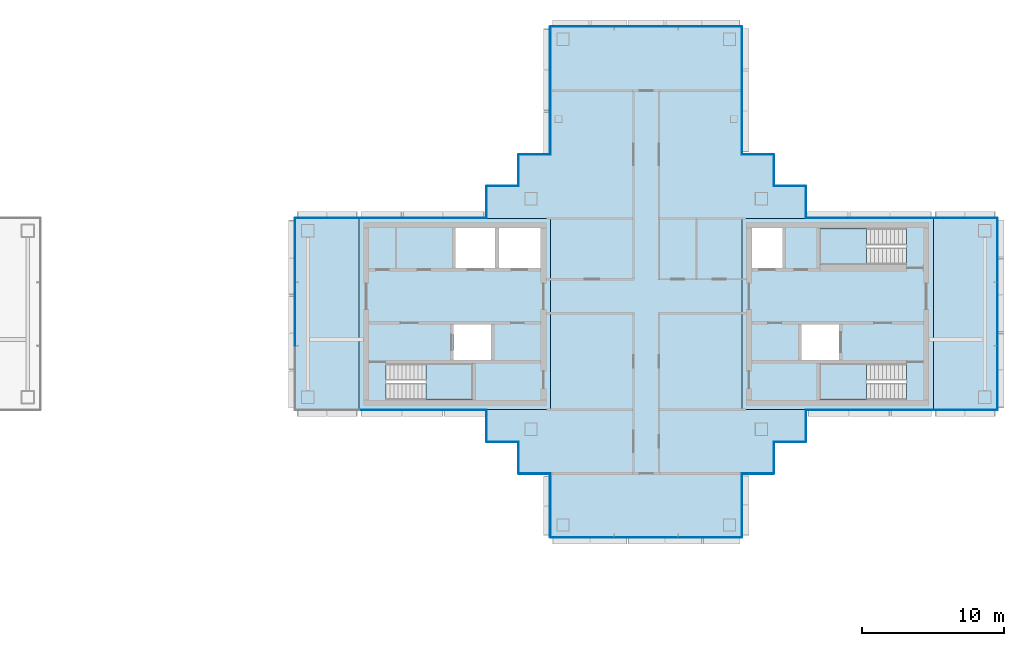
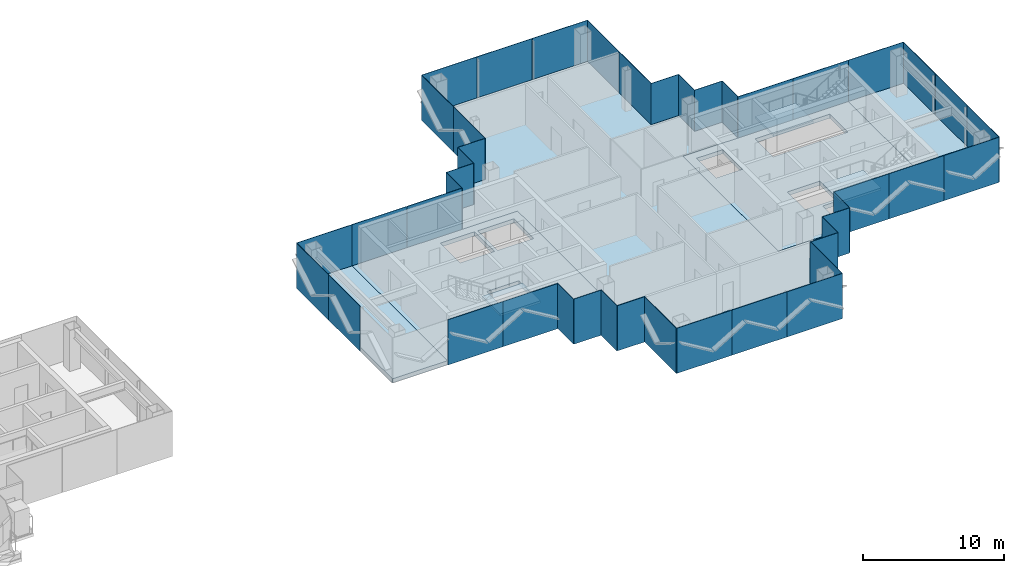
# One storey, part 8 of 17: 44 plates, 8 slabs, 22 elements without a shape of their own.
"""IFC4 building model written with IfcOpenShell, lengths in metres."""

from ifc_helpers import new_model, si_unit, direction, frame, origin, origin_2d, place, context, subcontext, project, spatial, polyline, rectangle, outline, extrude, material, layer, layer_set, type_object, element, aggregate, save


model = new_model("IFC4")

# Units and contexts
model_context = context("Model", 3, precision=1e-05, world=origin(), true_north=direction((0.0, 1.0)))
body_context = subcontext(model_context, "Body", "Model", "MODEL_VIEW")
ifc_project = project(units=[si_unit("LENGTHUNIT", "METRE"), si_unit("AREAUNIT", "SQUARE_METRE"), si_unit("VOLUMEUNIT", "CUBIC_METRE"), si_unit("PLANEANGLEUNIT", "RADIAN"), si_unit("MASSUNIT", "GRAM", prefix="KILO")], contexts=[model_context])

# Site, building, storey
site_placement = place(None, origin())
site = spatial("IfcSite", under=ifc_project, at=site_placement, CompositionType="ELEMENT")
building_placement = place(site_placement, origin())
building = spatial("IfcBuilding", under=site, at=building_placement, Name="Shamsa Quay Exchange Towers", CompositionType="ELEMENT")
storey_placement = place(building_placement, frame((0.0, 0.0, 253.800048828125)))
storey = spatial("IfcBuildingStorey", under=building, at=storey_placement, Name="L61", CompositionType="ELEMENT", Elevation=253.800048828125)

# Slabs
ifc_material_1 = material(Name="Concrete C50/60", Category="concrete")
ifc_layer_1 = layer(ifc_material_1, 0.35009765625)
ifc_layer_set_1 = layer_set([ifc_layer_1], Name="CORE FLOOR 350 C50/60")
slab_type_1 = type_object("IfcSlabType", Name="CORE FLOOR 350 C50/60", PredefinedType="FLOOR", material=ifc_layer_set_1)
slab_1_placement = place(storey_placement, frame((0.0, 0.0, -0.35009765625)))
element("IfcSlab", 1, at=slab_1_placement, inside=storey, type_object=slab_type_1, Name="Core floor T2A", PredefinedType="FLOOR", context=body_context, shape_type="SweptSolid", body=[
    extrude(outline(polyline([(13.5, -6.75), (27.0, -6.75), (27.0, 6.75), (13.5, 6.75), (13.5, -6.75)]), holes=[polyline([(15.400634765625, -6.050048828125), (15.400634765625, -3.5), (21.5, -3.5), (21.5, -6.050048828125), (15.400634765625, -6.050048828125)]), polyline([(20.300048828125, 3.25), (20.300048828125, 6.050048828125), (23.10009765625, 6.050048828125), (23.10009765625, 3.25), (20.300048828125, 3.25)]), polyline([(23.35009765625, 3.25), (23.35009765625, 6.050048828125), (26.300048828125, 6.050048828125), (26.300048828125, 3.25), (23.35009765625, 3.25)]), polyline([(20.14990234375, -3.25), (20.14990234375, -0.75), (22.800048828125, -0.75), (22.800048828125, -3.25), (20.14990234375, -3.25)])]), origin(), (0.0, 0.0, 1.0), 0.35009765625),
])
slab_2_placement = place(storey_placement, frame((0.0, 0.0, -0.35009765625)))
element("IfcSlab", 2, at=slab_2_placement, inside=storey, type_object=slab_type_1, Name="Core floor T2B", PredefinedType="FLOOR", context=body_context, shape_type="SweptSolid", body=[
    extrude(outline(polyline([(54.0, -6.75), (54.0, 6.75), (40.5, 6.75), (40.5, -6.75), (54.0, -6.75)]), holes=[polyline([(52.099365234375, -3.5), (52.099365234375, -6.050048828125), (46.0, -6.050048828125), (46.0, -3.5), (52.099365234375, -3.5)]), polyline([(52.099365234375, 6.050048828125), (52.099365234375, 3.5), (46.0, 3.5), (46.0, 6.050048828125), (52.099365234375, 6.050048828125)]), polyline([(43.35009765625, 3.25), (41.199951171875, 3.25), (41.199951171875, 6.050048828125), (43.35009765625, 6.050048828125), (43.35009765625, 3.25)]), polyline([(47.35009765625, -3.25), (44.699951171875, -3.25), (44.699951171875, -0.75), (47.35009765625, -0.75), (47.35009765625, -3.25)])]), origin(), (0.0, 0.0, 1.0), 0.35009765625),
])

# Stair, slab
ifc_material_2 = material(Name="Concrete C40/50", Category="concrete")
stair_type = type_object("IfcStairType", Name="EXIT STAIR 22 RISERS 177 MM", PredefinedType="HALF_TURN_STAIR", material=ifc_material_2)
stair_1_placement = place(storey_placement, origin())
stair_1 = element("IfcStair", 3, at=stair_1_placement, inside=storey, type_object=stair_type, Name="L61 Exit stair ST4", PredefinedType="HALF_TURN_STAIR")
ifc_layer_2 = layer(ifc_material_2, 0.199951171875)
ifc_layer_set_2 = layer_set([ifc_layer_2], Name="CORE STAIR LANDING")
slab_type_2 = type_object("IfcSlabType", Name="CORE STAIR LANDING", PredefinedType="LANDING", material=ifc_layer_set_2)
slab_3_placement = place(storey_placement, frame((0.0, 0.0, 1.75)))
slab_3 = element("IfcSlab", 4, at=slab_3_placement, type_object=slab_type_2, Name="ST4 landing 1", PredefinedType="LANDING", context=body_context, shape_type="SweptSolid", body=[
    extrude(outline(polyline([(18.199951171875, -6.050048828125), (21.5, -6.050048828125), (21.5, -3.5), (18.199951171875, -3.5), (18.199951171875, -6.050048828125)])), origin(), (0.0, 0.0, 1.0), 0.199951171875),
])
aggregate(stair_1, [slab_3])

stair_2_placement = place(storey_placement, origin())
stair_2 = element("IfcStair", 5, at=stair_2_placement, inside=storey, type_object=stair_type, Name="L61 Exit stair ST5", PredefinedType="HALF_TURN_STAIR")
slab_4_placement = place(storey_placement, frame((0.0, 0.0, 1.75)))
slab_4 = element("IfcSlab", 6, at=slab_4_placement, type_object=slab_type_2, Name="ST5 landing 1", PredefinedType="LANDING", context=body_context, shape_type="SweptSolid", body=[
    extrude(outline(polyline([(49.300048828125, -3.5), (46.0, -3.5), (46.0, -6.050048828125), (49.300048828125, -6.050048828125), (49.300048828125, -3.5)])), origin(), (0.0, 0.0, 1.0), 0.199951171875),
])
aggregate(stair_2, [slab_4])

stair_3_placement = place(storey_placement, origin())
stair_3 = element("IfcStair", 7, at=stair_3_placement, inside=storey, type_object=stair_type, Name="L61 Exit stair ST6", PredefinedType="HALF_TURN_STAIR")
slab_5_placement = place(storey_placement, frame((0.0, 0.0, 1.75)))
slab_5 = element("IfcSlab", 8, at=slab_5_placement, type_object=slab_type_2, Name="ST6 landing 1", PredefinedType="LANDING", context=body_context, shape_type="SweptSolid", body=[
    extrude(outline(polyline([(49.300048828125, 6.050048828125), (46.0, 6.050048828125), (46.0, 3.5), (49.300048828125, 3.5), (49.300048828125, 6.050048828125)])), origin(), (0.0, 0.0, 1.0), 0.199951171875),
])
aggregate(stair_3, [slab_5])

# Curtain wall, plate
ifc_material_3 = material(Name="Aluminium EN AW-6063 T6, black anodised", Category="aluminium")
ifc_layer_3 = layer(ifc_material_3, 0.280029296875)
ifc_layer_set_3 = layer_set([ifc_layer_3], Name="CW-1 UNITISED VISION GLASS")
curtain_wall_type_1 = type_object("IfcCurtainWallType", Name="CW-1 UNITISED VISION GLASS", PredefinedType="NOTDEFINED", material=ifc_layer_set_3)
curtain_wall_1_placement = place(storey_placement, origin())
curtain_wall_1 = element("IfcCurtainWall", 9, at=curtain_wall_1_placement, inside=storey, type_object=curtain_wall_type_1, Name="CW1 T2-FLK-V-W L61", PredefinedType="NOTDEFINED")
ifc_material_4 = material(Name="Glass, laminated, dark tinted", Category="glass")
ifc_layer_4 = layer(ifc_material_4, 0.0400390625)
ifc_layer_set_4 = layer_set([ifc_layer_4], Name="CW-1 VISION GLASS 40")
plate_type_1 = type_object("IfcPlateType", Name="CW-1 VISION GLASS 40", PredefinedType="CURTAIN_PANEL", material=ifc_layer_set_4)
plate_1_placement = place(storey_placement, frame((56.25, -6.77001953125, -0.35009765625)))
plate_1 = element("IfcPlate", 10, at=plate_1_placement, type_object=plate_type_1, Name="CW1 glass panel", PredefinedType="CURTAIN_PANEL", context=body_context, shape_type="SweptSolid", body=[
    extrude(rectangle(XDim=4.5, YDim=0.0400390625, at=origin_2d()), origin(), (0.0, 0.0, 1.0), 3.89990234375),
])
aggregate(curtain_wall_1, [plate_1])

# Curtain wall, plates
curtain_wall_2_placement = place(storey_placement, origin())
curtain_wall_2 = element("IfcCurtainWall", 11, at=curtain_wall_2_placement, inside=storey, type_object=curtain_wall_type_1, Name="CW1 T2-END-V- L61", PredefinedType="NOTDEFINED")
plate_2_placement = place(storey_placement, frame((58.52001953125, -4.50244140625, -0.35009765625), z_axis=(0.0, 0.0, 1.0), x_axis=(0.0, 1.0, 0.0)))
plate_2 = element("IfcPlate", 12, at=plate_2_placement, type_object=plate_type_1, Name="CW1 glass panel", PredefinedType="CURTAIN_PANEL", context=body_context, shape_type="SweptSolid", body=[
    extrude(rectangle(XDim=4.4951171875, YDim=0.0400390625, at=origin_2d()), origin(), (0.0, 0.0, 1.0), 3.89990234375),
])
plate_3_placement = place(storey_placement, frame((58.52001953125, 0.0, -0.35009765625), z_axis=(0.0, 0.0, 1.0), x_axis=(0.0, 1.0, 0.0)))
plate_3 = element("IfcPlate", 13, at=plate_3_placement, type_object=plate_type_1, Name="CW1 glass panel", PredefinedType="CURTAIN_PANEL", context=body_context, shape_type="SweptSolid", body=[
    extrude(rectangle(XDim=4.489990234375, YDim=0.0400390625, at=origin_2d()), origin(), (0.0, 0.0, 1.0), 3.89990234375),
])
plate_4_placement = place(storey_placement, frame((58.52001953125, 4.50244140625, -0.35009765625), z_axis=(0.0, 0.0, 1.0), x_axis=(0.0, 1.0, 0.0)))
plate_4 = element("IfcPlate", 14, at=plate_4_placement, type_object=plate_type_1, Name="CW1 glass panel", PredefinedType="CURTAIN_PANEL", context=body_context, shape_type="SweptSolid", body=[
    extrude(rectangle(XDim=4.4951171875, YDim=0.0400390625, at=origin_2d()), origin(), (0.0, 0.0, 1.0), 3.89990234375),
])
aggregate(curtain_wall_2, [plate_2, plate_3, plate_4])

# Curtain wall, plate
curtain_wall_3_placement = place(storey_placement, origin())
curtain_wall_3 = element("IfcCurtainWall", 15, at=curtain_wall_3_placement, inside=storey, type_object=curtain_wall_type_1, Name="CW1 T2-FLK-V-E L61", PredefinedType="NOTDEFINED")
plate_5_placement = place(storey_placement, frame((56.25, 6.77001953125, -0.35009765625), z_axis=(0.0, 0.0, 1.0), x_axis=(-1.0, 0.0, 0.0)))
plate_5 = element("IfcPlate", 16, at=plate_5_placement, type_object=plate_type_1, Name="CW1 glass panel", PredefinedType="CURTAIN_PANEL", context=body_context, shape_type="SweptSolid", body=[
    extrude(rectangle(XDim=4.5, YDim=0.0400390625, at=origin_2d()), origin(), (0.0, 0.0, 1.0), 3.89990234375),
])
aggregate(curtain_wall_3, [plate_5])

# Curtain wall, plates
curtain_wall_4_placement = place(storey_placement, origin())
curtain_wall_4 = element("IfcCurtainWall", 17, at=curtain_wall_4_placement, inside=storey, type_object=curtain_wall_type_1, Name="CW1 T2-FLK-U+S L61", PredefinedType="NOTDEFINED")
plate_6_placement = place(storey_placement, frame((40.52001953125, 13.52587890625, -0.35009765625), z_axis=(0.0, 0.0, 1.0), x_axis=(0.0, 1.0, 0.0)))
plate_6 = element("IfcPlate", 18, at=plate_6_placement, type_object=plate_type_1, Name="CW1 glass panel", PredefinedType="CURTAIN_PANEL", context=body_context, shape_type="SweptSolid", body=[
    extrude(rectangle(XDim=4.47607421875, YDim=0.0400390625, at=origin_2d()), origin(), (0.0, 0.0, 1.0), 3.89990234375),
])
plate_7_placement = place(storey_placement, frame((40.52001953125, 18.011962890625, -0.35009765625), z_axis=(0.0, 0.0, 1.0), x_axis=(0.0, 1.0, 0.0)))
plate_7 = element("IfcPlate", 19, at=plate_7_placement, type_object=plate_type_1, Name="CW1 glass panel", PredefinedType="CURTAIN_PANEL", context=body_context, shape_type="SweptSolid", body=[
    extrude(rectangle(XDim=4.47607421875, YDim=0.0400390625, at=origin_2d()), origin(), (0.0, 0.0, 1.0), 3.89990234375),
])
aggregate(curtain_wall_4, [plate_6, plate_7])

curtain_wall_5_placement = place(storey_placement, origin())
curtain_wall_5 = element("IfcCurtainWall", 20, at=curtain_wall_5_placement, inside=storey, type_object=curtain_wall_type_1, Name="CW1 T2-END-U+ L61", PredefinedType="NOTDEFINED")
plate_8_placement = place(storey_placement, frame((38.25244140625, 20.27001953125, -0.35009765625), z_axis=(0.0, 0.0, 1.0), x_axis=(-1.0, 0.0, 0.0)))
plate_8 = element("IfcPlate", 21, at=plate_8_placement, type_object=plate_type_1, Name="CW1 glass panel", PredefinedType="CURTAIN_PANEL", context=body_context, shape_type="SweptSolid", body=[
    extrude(rectangle(XDim=4.4951171875, YDim=0.0400390625, at=origin_2d()), origin(), (0.0, 0.0, 1.0), 3.89990234375),
])
plate_9_placement = place(storey_placement, frame((33.75, 20.27001953125, -0.35009765625), z_axis=(0.0, 0.0, 1.0), x_axis=(-1.0, 0.0, 0.0)))
plate_9 = element("IfcPlate", 22, at=plate_9_placement, type_object=plate_type_1, Name="CW1 glass panel", PredefinedType="CURTAIN_PANEL", context=body_context, shape_type="SweptSolid", body=[
    extrude(rectangle(XDim=4.489990234375, YDim=0.0400390625, at=origin_2d()), origin(), (0.0, 0.0, 1.0), 3.89990234375),
])
plate_10_placement = place(storey_placement, frame((29.24755859375, 20.27001953125, -0.35009765625), z_axis=(0.0, 0.0, 1.0), x_axis=(-1.0, 0.0, 0.0)))
plate_10 = element("IfcPlate", 23, at=plate_10_placement, type_object=plate_type_1, Name="CW1 glass panel", PredefinedType="CURTAIN_PANEL", context=body_context, shape_type="SweptSolid", body=[
    extrude(rectangle(XDim=4.4951171875, YDim=0.0400390625, at=origin_2d()), origin(), (0.0, 0.0, 1.0), 3.89990234375),
])
aggregate(curtain_wall_5, [plate_8, plate_9, plate_10])

curtain_wall_6_placement = place(storey_placement, origin())
curtain_wall_6 = element("IfcCurtainWall", 24, at=curtain_wall_6_placement, inside=storey, type_object=curtain_wall_type_1, Name="CW1 T2-FLK-U+N L61", PredefinedType="NOTDEFINED")
plate_11_placement = place(storey_placement, frame((26.97998046875, 18.00244140625, -0.35009765625), z_axis=(0.0, 0.0, 1.0), x_axis=(0.0, -1.0, 0.0)))
plate_11 = element("IfcPlate", 25, at=plate_11_placement, type_object=plate_type_1, Name="CW1 glass panel", PredefinedType="CURTAIN_PANEL", context=body_context, shape_type="SweptSolid", body=[
    extrude(rectangle(XDim=4.4951171875, YDim=0.0400390625, at=origin_2d()), origin(), (0.0, 0.0, 1.0), 3.89990234375),
])
plate_12_placement = place(storey_placement, frame((26.97998046875, 13.49755859375, -0.35009765625), z_axis=(0.0, 0.0, 1.0), x_axis=(0.0, -1.0, 0.0)))
plate_12 = element("IfcPlate", 26, at=plate_12_placement, type_object=plate_type_1, Name="CW1 glass panel", PredefinedType="CURTAIN_PANEL", context=body_context, shape_type="SweptSolid", body=[
    extrude(rectangle(XDim=4.4951171875, YDim=0.0400390625, at=origin_2d()), origin(), (0.0, 0.0, 1.0), 3.89990234375),
])
aggregate(curtain_wall_6, [plate_11, plate_12])

# Curtain wall, plate
curtain_wall_7_placement = place(storey_placement, origin())
curtain_wall_7 = element("IfcCurtainWall", 27, at=curtain_wall_7_placement, inside=storey, type_object=curtain_wall_type_1, Name="CW1 T2-FLK-V+E L61", PredefinedType="NOTDEFINED")
plate_13_placement = place(storey_placement, frame((11.25, 6.77001953125, -0.35009765625), z_axis=(0.0, 0.0, 1.0), x_axis=(-1.0, 0.0, 0.0)))
plate_13 = element("IfcPlate", 28, at=plate_13_placement, type_object=plate_type_1, Name="CW1 glass panel", PredefinedType="CURTAIN_PANEL", context=body_context, shape_type="SweptSolid", body=[
    extrude(rectangle(XDim=4.5, YDim=0.0400390625, at=origin_2d()), origin(), (0.0, 0.0, 1.0), 3.89990234375),
])
aggregate(curtain_wall_7, [plate_13])

# Curtain wall, plates
curtain_wall_8_placement = place(storey_placement, origin())
curtain_wall_8 = element("IfcCurtainWall", 29, at=curtain_wall_8_placement, inside=storey, type_object=curtain_wall_type_1, Name="CW1 T2-END-V+ L61", PredefinedType="NOTDEFINED")
plate_14_placement = place(storey_placement, frame((8.97998046875, 4.50244140625, -0.35009765625), z_axis=(0.0, 0.0, 1.0), x_axis=(0.0, -1.0, 0.0)))
plate_14 = element("IfcPlate", 30, at=plate_14_placement, type_object=plate_type_1, Name="CW1 glass panel", PredefinedType="CURTAIN_PANEL", context=body_context, shape_type="SweptSolid", body=[
    extrude(rectangle(XDim=4.4951171875, YDim=0.0400390625, at=origin_2d()), origin(), (0.0, 0.0, 1.0), 3.89990234375),
])
plate_15_placement = place(storey_placement, frame((8.97998046875, 0.0, -0.35009765625), z_axis=(0.0, 0.0, 1.0), x_axis=(0.0, -1.0, 0.0)))
plate_15 = element("IfcPlate", 31, at=plate_15_placement, type_object=plate_type_1, Name="CW1 glass panel", PredefinedType="CURTAIN_PANEL", context=body_context, shape_type="SweptSolid", body=[
    extrude(rectangle(XDim=4.489990234375, YDim=0.0400390625, at=origin_2d()), origin(), (0.0, 0.0, 1.0), 3.89990234375),
])
aggregate(curtain_wall_8, [plate_14, plate_15])

# Curtain wall, plate
curtain_wall_9_placement = place(storey_placement, origin())
curtain_wall_9 = element("IfcCurtainWall", 32, at=curtain_wall_9_placement, inside=storey, type_object=curtain_wall_type_1, Name="CW1 T2-FLK-U-N L61", PredefinedType="NOTDEFINED")
plate_16_placement = place(storey_placement, frame((26.97998046875, -13.51904296875, -0.35009765625), z_axis=(0.0, 0.0, 1.0), x_axis=(0.0, -1.0, 0.0)))
plate_16 = element("IfcPlate", 33, at=plate_16_placement, type_object=plate_type_1, Name="CW1 glass panel", PredefinedType="CURTAIN_PANEL", context=body_context, shape_type="SweptSolid", body=[
    extrude(rectangle(XDim=4.4619140625, YDim=0.0400390625, at=origin_2d()), origin(), (0.0, 0.0, 1.0), 3.89990234375),
])
aggregate(curtain_wall_9, [plate_16])

# Curtain wall, plates
curtain_wall_10_placement = place(storey_placement, origin())
curtain_wall_10 = element("IfcCurtainWall", 34, at=curtain_wall_10_placement, inside=storey, type_object=curtain_wall_type_1, Name="CW1 T2-END-U- L61", PredefinedType="NOTDEFINED")
plate_17_placement = place(storey_placement, frame((29.24755859375, -15.77001953125, -0.35009765625)))
plate_17 = element("IfcPlate", 35, at=plate_17_placement, type_object=plate_type_1, Name="CW1 glass panel", PredefinedType="CURTAIN_PANEL", context=body_context, shape_type="SweptSolid", body=[
    extrude(rectangle(XDim=4.4951171875, YDim=0.0400390625, at=origin_2d()), origin(), (0.0, 0.0, 1.0), 3.89990234375),
])
plate_18_placement = place(storey_placement, frame((33.75, -15.77001953125, -0.35009765625)))
plate_18 = element("IfcPlate", 36, at=plate_18_placement, type_object=plate_type_1, Name="CW1 glass panel", PredefinedType="CURTAIN_PANEL", context=body_context, shape_type="SweptSolid", body=[
    extrude(rectangle(XDim=4.489990234375, YDim=0.0400390625, at=origin_2d()), origin(), (0.0, 0.0, 1.0), 3.89990234375),
])
plate_19_placement = place(storey_placement, frame((38.25244140625, -15.77001953125, -0.35009765625)))
plate_19 = element("IfcPlate", 37, at=plate_19_placement, type_object=plate_type_1, Name="CW1 glass panel", PredefinedType="CURTAIN_PANEL", context=body_context, shape_type="SweptSolid", body=[
    extrude(rectangle(XDim=4.4951171875, YDim=0.0400390625, at=origin_2d()), origin(), (0.0, 0.0, 1.0), 3.89990234375),
])
aggregate(curtain_wall_10, [plate_17, plate_18, plate_19])

# Curtain wall, plate
curtain_wall_11_placement = place(storey_placement, origin())
curtain_wall_11 = element("IfcCurtainWall", 38, at=curtain_wall_11_placement, inside=storey, type_object=curtain_wall_type_1, Name="CW1 T2-FLK-U-S L61", PredefinedType="NOTDEFINED")
plate_20_placement = place(storey_placement, frame((40.52001953125, -13.5, -0.35009765625), z_axis=(0.0, 0.0, 1.0), x_axis=(0.0, 1.0, 0.0)))
plate_20 = element("IfcPlate", 39, at=plate_20_placement, type_object=plate_type_1, Name="CW1 glass panel", PredefinedType="CURTAIN_PANEL", context=body_context, shape_type="SweptSolid", body=[
    extrude(rectangle(XDim=4.5, YDim=0.0400390625, at=origin_2d()), origin(), (0.0, 0.0, 1.0), 3.89990234375),
])
aggregate(curtain_wall_11, [plate_20])

# Curtain wall, plates
ifc_layer_5 = layer(ifc_material_3, 0.303955078125)
ifc_layer_set_5 = layer_set([ifc_layer_5], Name="CW-2 UNITISED OPAQUE SPANDREL GLASS")
curtain_wall_type_2 = type_object("IfcCurtainWallType", Name="CW-2 UNITISED OPAQUE SPANDREL GLASS", PredefinedType="NOTDEFINED", material=ifc_layer_set_5)
curtain_wall_12_placement = place(storey_placement, origin())
curtain_wall_12 = element("IfcCurtainWall", 40, at=curtain_wall_12_placement, inside=storey, type_object=curtain_wall_type_2, Name="CW2 T2-FLK-V-W L61", PredefinedType="NOTDEFINED")
ifc_material_5 = material(Name="Glass, laminated, black enamelled opaque", Category="glass")
ifc_layer_6 = layer(ifc_material_5, 0.0439453125)
ifc_layer_set_6 = layer_set([ifc_layer_6], Name="CW-2 SPANDREL GLASS 44")
plate_type_2 = type_object("IfcPlateType", Name="CW-2 SPANDREL GLASS 44", PredefinedType="CURTAIN_PANEL", material=ifc_layer_set_6)
plate_21_placement = place(storey_placement, frame((47.27587890625, -6.77197265625, -0.35009765625)))
plate_21 = element("IfcPlate", 41, at=plate_21_placement, type_object=plate_type_2, Name="CW2 glass panel", PredefinedType="CURTAIN_PANEL", context=body_context, shape_type="SweptSolid", body=[
    extrude(rectangle(XDim=4.47607421875, YDim=0.0439453125, at=origin_2d()), origin(), (0.0, 0.0, 1.0), 3.89990234375),
])
plate_22_placement = place(storey_placement, frame((51.761962890625, -6.77197265625, -0.35009765625)))
plate_22 = element("IfcPlate", 42, at=plate_22_placement, type_object=plate_type_2, Name="CW2 glass panel", PredefinedType="CURTAIN_PANEL", context=body_context, shape_type="SweptSolid", body=[
    extrude(rectangle(XDim=4.47607421875, YDim=0.0439453125, at=origin_2d()), origin(), (0.0, 0.0, 1.0), 3.89990234375),
])
aggregate(curtain_wall_12, [plate_21, plate_22])

curtain_wall_13_placement = place(storey_placement, origin())
curtain_wall_13 = element("IfcCurtainWall", 43, at=curtain_wall_13_placement, inside=storey, type_object=curtain_wall_type_2, Name="CW2 T2-FLK-V-E L61", PredefinedType="NOTDEFINED")
plate_23_placement = place(storey_placement, frame((51.75244140625, 6.77197265625, -0.35009765625), z_axis=(0.0, 0.0, 1.0), x_axis=(-1.0, 0.0, 0.0)))
plate_23 = element("IfcPlate", 44, at=plate_23_placement, type_object=plate_type_2, Name="CW2 glass panel", PredefinedType="CURTAIN_PANEL", context=body_context, shape_type="SweptSolid", body=[
    extrude(rectangle(XDim=4.4951171875, YDim=0.0439453125, at=origin_2d()), origin(), (0.0, 0.0, 1.0), 3.89990234375),
])
plate_24_placement = place(storey_placement, frame((47.24755859375, 6.77197265625, -0.35009765625), z_axis=(0.0, 0.0, 1.0), x_axis=(-1.0, 0.0, 0.0)))
plate_24 = element("IfcPlate", 45, at=plate_24_placement, type_object=plate_type_2, Name="CW2 glass panel", PredefinedType="CURTAIN_PANEL", context=body_context, shape_type="SweptSolid", body=[
    extrude(rectangle(XDim=4.4951171875, YDim=0.0439453125, at=origin_2d()), origin(), (0.0, 0.0, 1.0), 3.89990234375),
])
aggregate(curtain_wall_13, [plate_23, plate_24])

curtain_wall_14_placement = place(storey_placement, origin())
curtain_wall_14 = element("IfcCurtainWall", 46, at=curtain_wall_14_placement, inside=storey, type_object=curtain_wall_type_2, Name="CW2 T2-FLK-V+E L61", PredefinedType="NOTDEFINED")
plate_25_placement = place(storey_placement, frame((20.22412109375, 6.77197265625, -0.35009765625), z_axis=(0.0, 0.0, 1.0), x_axis=(-1.0, 0.0, 0.0)))
plate_25 = element("IfcPlate", 47, at=plate_25_placement, type_object=plate_type_2, Name="CW2 glass panel", PredefinedType="CURTAIN_PANEL", context=body_context, shape_type="SweptSolid", body=[
    extrude(rectangle(XDim=4.47607421875, YDim=0.0439453125, at=origin_2d()), origin(), (0.0, 0.0, 1.0), 3.89990234375),
])
plate_26_placement = place(storey_placement, frame((15.738037109375, 6.77197265625, -0.35009765625), z_axis=(0.0, 0.0, 1.0), x_axis=(-1.0, 0.0, 0.0)))
plate_26 = element("IfcPlate", 48, at=plate_26_placement, type_object=plate_type_2, Name="CW2 glass panel", PredefinedType="CURTAIN_PANEL", context=body_context, shape_type="SweptSolid", body=[
    extrude(rectangle(XDim=4.47607421875, YDim=0.0439453125, at=origin_2d()), origin(), (0.0, 0.0, 1.0), 3.89990234375),
])
aggregate(curtain_wall_14, [plate_25, plate_26])

curtain_wall_15_placement = place(storey_placement, origin())
curtain_wall_15 = element("IfcCurtainWall", 49, at=curtain_wall_15_placement, inside=storey, type_object=curtain_wall_type_2, Name="CW2 T2-FLK-V+W L61", PredefinedType="NOTDEFINED")
plate_27_placement = place(storey_placement, frame((15.74755859375, -6.77197265625, -0.35009765625)))
plate_27 = element("IfcPlate", 50, at=plate_27_placement, type_object=plate_type_2, Name="CW2 glass panel", PredefinedType="CURTAIN_PANEL", context=body_context, shape_type="SweptSolid", body=[
    extrude(rectangle(XDim=4.4951171875, YDim=0.0439453125, at=origin_2d()), origin(), (0.0, 0.0, 1.0), 3.89990234375),
])
plate_28_placement = place(storey_placement, frame((20.25244140625, -6.77197265625, -0.35009765625)))
plate_28 = element("IfcPlate", 51, at=plate_28_placement, type_object=plate_type_2, Name="CW2 glass panel", PredefinedType="CURTAIN_PANEL", context=body_context, shape_type="SweptSolid", body=[
    extrude(rectangle(XDim=4.4951171875, YDim=0.0439453125, at=origin_2d()), origin(), (0.0, 0.0, 1.0), 3.89990234375),
])
aggregate(curtain_wall_15, [plate_27, plate_28])

ifc_layer_7 = layer(ifc_material_3, 0.256103515625)
ifc_layer_set_7 = layer_set([ifc_layer_7], Name="CW-4 POCKET SERRATED GLAZING")
curtain_wall_type_3 = type_object("IfcCurtainWallType", Name="CW-4 POCKET SERRATED GLAZING", PredefinedType="NOTDEFINED", material=ifc_layer_set_7)
curtain_wall_16_placement = place(storey_placement, origin())
curtain_wall_16 = element("IfcCurtainWall", 52, at=curtain_wall_16_placement, inside=storey, type_object=curtain_wall_type_3, Name="CW4 PKWS L61", PredefinedType="NOTDEFINED")
ifc_layer_8 = layer(ifc_material_4, 0.035888671875)
ifc_layer_set_8 = layer_set([ifc_layer_8], Name="CW-4 POCKET GLASS 36")
plate_type_3 = type_object("IfcPlateType", Name="CW-4 POCKET GLASS 36", PredefinedType="CURTAIN_PANEL", material=ifc_layer_set_8)
plate_29_placement = place(storey_placement, frame((43.89404296875, -9.01806640625, -0.35009765625)))
plate_29 = element("IfcPlate", 53, at=plate_29_placement, type_object=plate_type_3, Name="CW4 glass panel", PredefinedType="CURTAIN_PANEL", context=body_context, shape_type="SweptSolid", body=[
    extrude(rectangle(XDim=2.2119140625, YDim=0.035888671875, at=origin_2d()), origin(), (0.0, 0.0, 1.0), 3.89990234375),
])
plate_30_placement = place(storey_placement, frame((45.01806640625, -7.875, -0.35009765625), z_axis=(0.0, 0.0, 1.0), x_axis=(0.0, 1.0, 0.0)))
plate_30 = element("IfcPlate", 54, at=plate_30_placement, type_object=plate_type_3, Name="CW4 glass panel", PredefinedType="CURTAIN_PANEL", context=body_context, shape_type="SweptSolid", body=[
    extrude(rectangle(XDim=2.25, YDim=0.035888671875, at=origin_2d()), origin(), (0.0, 0.0, 1.0), 3.89990234375),
])
plate_31_placement = place(storey_placement, frame((41.64599609375, -11.26806640625, -0.35009765625)))
plate_31 = element("IfcPlate", 55, at=plate_31_placement, type_object=plate_type_3, Name="CW4 glass panel", PredefinedType="CURTAIN_PANEL", context=body_context, shape_type="SweptSolid", body=[
    extrude(rectangle(XDim=2.2080078125, YDim=0.035888671875, at=origin_2d()), origin(), (0.0, 0.0, 1.0), 3.89990234375),
])
plate_32_placement = place(storey_placement, frame((42.76806640625, -10.125, -0.35009765625), z_axis=(0.0, 0.0, 1.0), x_axis=(0.0, 1.0, 0.0)))
plate_32 = element("IfcPlate", 56, at=plate_32_placement, type_object=plate_type_3, Name="CW4 glass panel", PredefinedType="CURTAIN_PANEL", context=body_context, shape_type="SweptSolid", body=[
    extrude(rectangle(XDim=2.25, YDim=0.035888671875, at=origin_2d()), origin(), (0.0, 0.0, 1.0), 3.89990234375),
])
aggregate(curtain_wall_16, [plate_29, plate_30, plate_31, plate_32])

curtain_wall_17_placement = place(storey_placement, origin())
curtain_wall_17 = element("IfcCurtainWall", 57, at=curtain_wall_17_placement, inside=storey, type_object=curtain_wall_type_3, Name="CW4 PKES L61", PredefinedType="NOTDEFINED")
plate_33_placement = place(storey_placement, frame((45.01806640625, 7.89794921875, -0.35009765625), z_axis=(0.0, 0.0, 1.0), x_axis=(0.0, 1.0, 0.0)))
plate_33 = element("IfcPlate", 58, at=plate_33_placement, type_object=plate_type_3, Name="CW4 glass panel", PredefinedType="CURTAIN_PANEL", context=body_context, shape_type="SweptSolid", body=[
    extrude(rectangle(XDim=2.2041015625, YDim=0.035888671875, at=origin_2d()), origin(), (0.0, 0.0, 1.0), 3.89990234375),
])
plate_34_placement = place(storey_placement, frame((43.875, 9.01806640625, -0.35009765625), z_axis=(0.0, 0.0, 1.0), x_axis=(-1.0, 0.0, 0.0)))
plate_34 = element("IfcPlate", 59, at=plate_34_placement, type_object=plate_type_3, Name="CW4 glass panel", PredefinedType="CURTAIN_PANEL", context=body_context, shape_type="SweptSolid", body=[
    extrude(rectangle(XDim=2.25, YDim=0.035888671875, at=origin_2d()), origin(), (0.0, 0.0, 1.0), 3.89990234375),
])
plate_35_placement = place(storey_placement, frame((42.76806640625, 10.14404296875, -0.35009765625), z_axis=(0.0, 0.0, 1.0), x_axis=(0.0, 1.0, 0.0)))
plate_35 = element("IfcPlate", 60, at=plate_35_placement, type_object=plate_type_3, Name="CW4 glass panel", PredefinedType="CURTAIN_PANEL", context=body_context, shape_type="SweptSolid", body=[
    extrude(rectangle(XDim=2.2119140625, YDim=0.035888671875, at=origin_2d()), origin(), (0.0, 0.0, 1.0), 3.89990234375),
])
plate_36_placement = place(storey_placement, frame((41.625, 11.26806640625, -0.35009765625), z_axis=(0.0, 0.0, 1.0), x_axis=(-1.0, 0.0, 0.0)))
plate_36 = element("IfcPlate", 61, at=plate_36_placement, type_object=plate_type_3, Name="CW4 glass panel", PredefinedType="CURTAIN_PANEL", context=body_context, shape_type="SweptSolid", body=[
    extrude(rectangle(XDim=2.25, YDim=0.035888671875, at=origin_2d()), origin(), (0.0, 0.0, 1.0), 3.89990234375),
])
aggregate(curtain_wall_17, [plate_33, plate_34, plate_35, plate_36])

curtain_wall_18_placement = place(storey_placement, origin())
curtain_wall_18 = element("IfcCurtainWall", 62, at=curtain_wall_18_placement, inside=storey, type_object=curtain_wall_type_3, Name="CW4 PKEN L61", PredefinedType="NOTDEFINED")
plate_37_placement = place(storey_placement, frame((25.85400390625, 11.26806640625, -0.35009765625), z_axis=(0.0, 0.0, 1.0), x_axis=(-1.0, 0.0, 0.0)))
plate_37 = element("IfcPlate", 63, at=plate_37_placement, type_object=plate_type_3, Name="CW4 glass panel", PredefinedType="CURTAIN_PANEL", context=body_context, shape_type="SweptSolid", body=[
    extrude(rectangle(XDim=2.2080078125, YDim=0.035888671875, at=origin_2d()), origin(), (0.0, 0.0, 1.0), 3.89990234375),
])
plate_38_placement = place(storey_placement, frame((24.73193359375, 10.125, -0.35009765625), z_axis=(0.0, 0.0, 1.0), x_axis=(0.0, -1.0, 0.0)))
plate_38 = element("IfcPlate", 64, at=plate_38_placement, type_object=plate_type_3, Name="CW4 glass panel", PredefinedType="CURTAIN_PANEL", context=body_context, shape_type="SweptSolid", body=[
    extrude(rectangle(XDim=2.25, YDim=0.035888671875, at=origin_2d()), origin(), (0.0, 0.0, 1.0), 3.89990234375),
])
plate_39_placement = place(storey_placement, frame((23.60595703125, 9.01806640625, -0.35009765625), z_axis=(0.0, 0.0, 1.0), x_axis=(-1.0, 0.0, 0.0)))
plate_39 = element("IfcPlate", 65, at=plate_39_placement, type_object=plate_type_3, Name="CW4 glass panel", PredefinedType="CURTAIN_PANEL", context=body_context, shape_type="SweptSolid", body=[
    extrude(rectangle(XDim=2.2119140625, YDim=0.035888671875, at=origin_2d()), origin(), (0.0, 0.0, 1.0), 3.89990234375),
])
plate_40_placement = place(storey_placement, frame((22.48193359375, 7.875, -0.35009765625), z_axis=(0.0, 0.0, 1.0), x_axis=(0.0, -1.0, 0.0)))
plate_40 = element("IfcPlate", 66, at=plate_40_placement, type_object=plate_type_3, Name="CW4 glass panel", PredefinedType="CURTAIN_PANEL", context=body_context, shape_type="SweptSolid", body=[
    extrude(rectangle(XDim=2.25, YDim=0.035888671875, at=origin_2d()), origin(), (0.0, 0.0, 1.0), 3.89990234375),
])
aggregate(curtain_wall_18, [plate_37, plate_38, plate_39, plate_40])

curtain_wall_19_placement = place(storey_placement, origin())
curtain_wall_19 = element("IfcCurtainWall", 67, at=curtain_wall_19_placement, inside=storey, type_object=curtain_wall_type_3, Name="CW4 PKWN L61", PredefinedType="NOTDEFINED")
plate_41_placement = place(storey_placement, frame((22.48193359375, -7.89794921875, -0.35009765625), z_axis=(0.0, 0.0, 1.0), x_axis=(0.0, -1.0, 0.0)))
plate_41 = element("IfcPlate", 68, at=plate_41_placement, type_object=plate_type_3, Name="CW4 glass panel", PredefinedType="CURTAIN_PANEL", context=body_context, shape_type="SweptSolid", body=[
    extrude(rectangle(XDim=2.2041015625, YDim=0.035888671875, at=origin_2d()), origin(), (0.0, 0.0, 1.0), 3.89990234375),
])
plate_42_placement = place(storey_placement, frame((23.625, -9.01806640625, -0.35009765625)))
plate_42 = element("IfcPlate", 69, at=plate_42_placement, type_object=plate_type_3, Name="CW4 glass panel", PredefinedType="CURTAIN_PANEL", context=body_context, shape_type="SweptSolid", body=[
    extrude(rectangle(XDim=2.25, YDim=0.035888671875, at=origin_2d()), origin(), (0.0, 0.0, 1.0), 3.89990234375),
])
plate_43_placement = place(storey_placement, frame((24.73193359375, -10.14404296875, -0.35009765625), z_axis=(0.0, 0.0, 1.0), x_axis=(0.0, -1.0, 0.0)))
plate_43 = element("IfcPlate", 70, at=plate_43_placement, type_object=plate_type_3, Name="CW4 glass panel", PredefinedType="CURTAIN_PANEL", context=body_context, shape_type="SweptSolid", body=[
    extrude(rectangle(XDim=2.2119140625, YDim=0.035888671875, at=origin_2d()), origin(), (0.0, 0.0, 1.0), 3.89990234375),
])
plate_44_placement = place(storey_placement, frame((25.875, -11.26806640625, -0.35009765625)))
plate_44 = element("IfcPlate", 71, at=plate_44_placement, type_object=plate_type_3, Name="CW4 glass panel", PredefinedType="CURTAIN_PANEL", context=body_context, shape_type="SweptSolid", body=[
    extrude(rectangle(XDim=2.25, YDim=0.035888671875, at=origin_2d()), origin(), (0.0, 0.0, 1.0), 3.89990234375),
])
aggregate(curtain_wall_19, [plate_41, plate_42, plate_43, plate_44])

# Slabs
ifc_layer_9 = layer(ifc_material_2, 0.35009765625)
ifc_layer_set_9 = layer_set([ifc_layer_9], Name="Flat slab 350")
slab_type_3 = type_object("IfcSlabType", Name="Flat slab 350", PredefinedType="FLOOR", material=ifc_layer_set_9)
slab_6_placement = place(storey_placement, frame((0.0, 0.0, -0.35009765625)))
element("IfcSlab", 72, at=slab_6_placement, inside=storey, type_object=slab_type_3, Name="Flat slab T2 L61 4", PredefinedType="FLOOR", context=body_context, shape_type="SweptSolid", body=[
    extrude(outline(polyline([(9.0, -6.75), (13.5, -6.75), (13.5, 6.75), (9.0, 6.75), (9.0, -6.75)])), origin(), (0.0, 0.0, 1.0), 0.35009765625),
])
slab_7_placement = place(storey_placement, frame((0.0, 0.0, -0.35009765625)))
element("IfcSlab", 73, at=slab_7_placement, inside=storey, type_object=slab_type_3, Name="Flat slab T2 L61 5", PredefinedType="FLOOR", context=body_context, shape_type="SweptSolid", body=[
    extrude(outline(polyline([(45.0, -9.0), (45.0, -6.75), (40.5, -6.75), (40.5, 6.75), (45.0, 6.75), (45.0, 9.0), (42.75, 9.0), (42.75, 11.25), (40.5, 11.25), (40.5, 20.25), (27.0, 20.25), (27.0, 11.25), (24.75, 11.25), (24.75, 9.0), (22.5, 9.0), (22.5, 6.75), (27.0, 6.75), (27.0, -6.75), (22.5, -6.75), (22.5, -9.0), (24.75, -9.0), (24.75, -11.25), (27.0, -11.25), (27.0, -15.75), (40.5, -15.75), (40.5, -11.25), (42.75, -11.25), (42.75, -9.0), (45.0, -9.0)])), origin(), (0.0, 0.0, 1.0), 0.35009765625),
])
slab_8_placement = place(storey_placement, frame((0.0, 0.0, -0.35009765625)))
element("IfcSlab", 74, at=slab_8_placement, inside=storey, type_object=slab_type_3, Name="Flat slab T2 L61 6", PredefinedType="FLOOR", context=body_context, shape_type="SweptSolid", body=[
    extrude(outline(polyline([(58.5, 6.75), (54.0, 6.75), (54.0, -6.75), (58.5, -6.75), (58.5, 6.75)])), origin(), (0.0, 0.0, 1.0), 0.35009765625),
])

save(model, "model.ifc")
